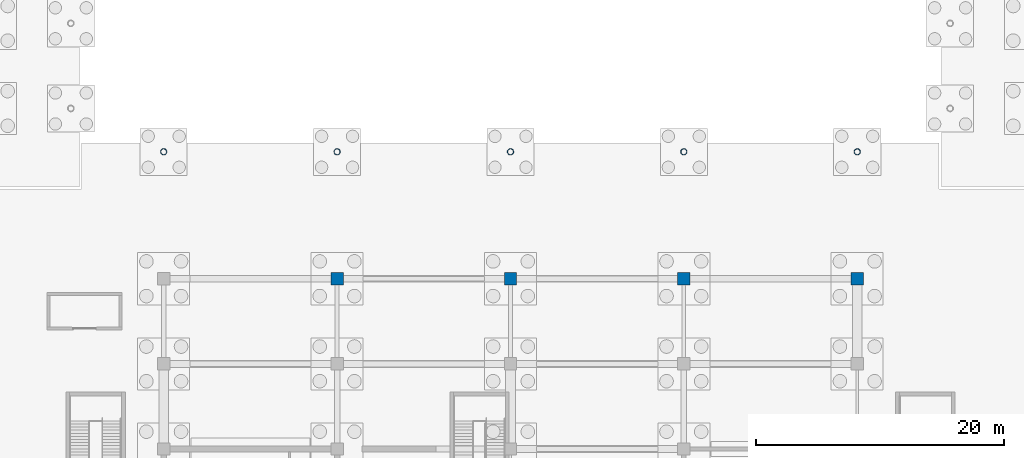
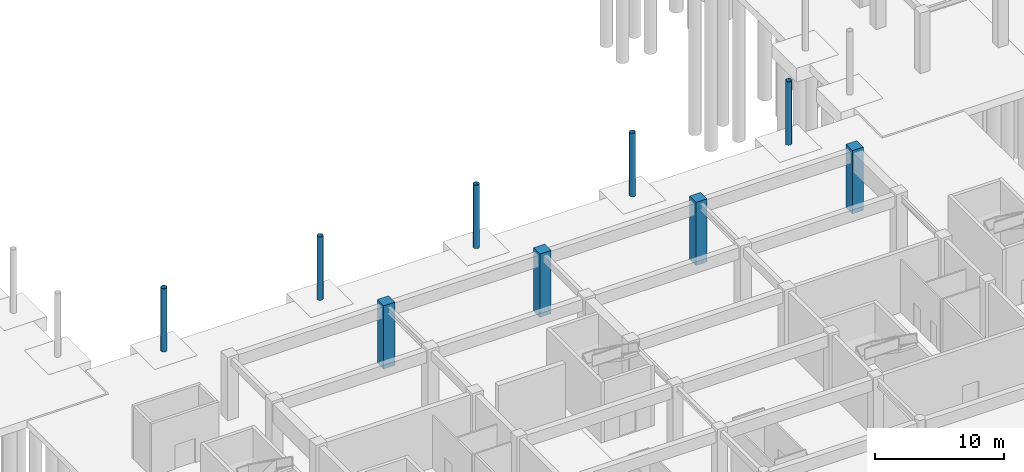
# One storey, part 12 of 62: 9 columns.
"""IFC4 building model written with IfcOpenShell, lengths in metres."""

import ifcopenshell
import ifcopenshell.guid

model = None  # the IFC model being written
_history = None  # IfcOwnerHistory: only IFC2X3 demands one
_inside = {}  # id of a spatial element -> (the spatial element, [elements in it])
_under = {}  # id of a project, library or spatial element -> (it, [spatial elements below it])
_declared = {}  # id of a project -> (the project, [libraries it declares])
_typed = {}  # id of a type object -> (the type object, [elements of that type])
_made_of = {}  # id of a material, layer set ... -> (it, [elements and type objects made of it])


def new_model(schema):
    """Start an empty IFC model of exactly this schema.

    Asked for "IFC4X3", IfcOpenShell would pick the latest addendum, in which some entities
    have other attributes; the version numbers below select the first issue.
    IFC2X3 requires an IfcOwnerHistory on every rooted entity: one is made here for all.
    """
    global model, _history
    if schema == "IFC4X3":
        model = ifcopenshell.file(schema_version=(4, 3, 0, 0))
    else:
        model = ifcopenshell.file(schema=schema)
    _inside.clear()
    _under.clear()
    _declared.clear()
    _typed.clear()
    _made_of.clear()
    _history = None
    if model.schema == "IFC2X3":
        org = make("IfcOrganization", Name="unknown")
        user = make(
            "IfcPersonAndOrganization",
            ThePerson=make("IfcPerson", FamilyName="unknown"),
            TheOrganization=org,
        )
        app = make(
            "IfcApplication",
            ApplicationDeveloper=org,
            Version="unknown",
            ApplicationFullName="unknown",
            ApplicationIdentifier="unknown",
        )
        _history = make(
            "IfcOwnerHistory",
            OwningUser=user,
            OwningApplication=app,
            ChangeAction="ADDED",
            CreationDate=0,
        )
    return model


def make(cls, **values):
    """One entity of the class cls with the attributes given. An attribute that is None is left unset."""
    return model.create_entity(
        cls, **{name: value for name, value in values.items() if value is not None}
    )


def rooted(cls, **values):
    """An entity with a GlobalId (a new one), such as an element, a storey or a relation."""
    return make(cls, GlobalId=ifcopenshell.guid.new(), OwnerHistory=_history, **values)


def si_unit(unit_type, name, prefix=None):
    """IfcSIUnit, for example si_unit("LENGTHUNIT", "METRE", prefix="MILLI")."""
    return make("IfcSIUnit", UnitType=unit_type, Prefix=prefix, Name=name)


def assignment(units):
    """IfcUnitAssignment: the units of a project."""
    return None if units is None else make("IfcUnitAssignment", Units=units)


def point(xyz):
    """IfcCartesianPoint."""
    return None if xyz is None else make("IfcCartesianPoint", Coordinates=xyz)


def direction(xyz):
    """IfcDirection."""
    return None if xyz is None else make("IfcDirection", DirectionRatios=xyz)


def frame(location, z_axis=None, x_axis=None):
    """IfcAxis2Placement3D, a coordinate frame: its origin and axes. An axis left out is left unset."""
    return make(
        "IfcAxis2Placement3D",
        Location=point(location),
        Axis=direction(z_axis),
        RefDirection=direction(x_axis),
    )


def frame_2d(location, x_axis=None):
    """IfcAxis2Placement2D, a coordinate frame in the plane: its origin and x axis."""
    return make(
        "IfcAxis2Placement2D", Location=point(location), RefDirection=direction(x_axis)
    )


def origin():
    """The frame at (0, 0, 0) with its axes left unset."""
    return frame((0.0, 0.0, 0.0))


def origin_2d():
    """The frame at (0, 0) in the plane with its x axis left unset."""
    return frame_2d((0.0, 0.0))


def place(relative_to, where):
    """IfcLocalPlacement: puts the frame where relative to a parent placement (None: the world)."""
    return make(
        "IfcLocalPlacement", PlacementRelTo=relative_to, RelativePlacement=where
    )


def context(
    kind, dimensions, precision=None, world=None, true_north=None, identifier=None
):
    """IfcGeometricRepresentationContext, for example the 3D "Model" context."""
    return make(
        "IfcGeometricRepresentationContext",
        ContextIdentifier=identifier,
        ContextType=kind,
        CoordinateSpaceDimension=dimensions,
        Precision=precision,
        WorldCoordinateSystem=world,
        TrueNorth=true_north,
    )


def subcontext(parent, identifier, kind, view, scale=None):
    """IfcGeometricRepresentationSubContext, for example "Body" below "Model"."""
    return make(
        "IfcGeometricRepresentationSubContext",
        ContextIdentifier=identifier,
        ContextType=kind,
        ParentContext=parent,
        TargetScale=scale,
        TargetView=view,
    )


def project(units=None, contexts=None):
    """IfcProject with its units and contexts."""
    return rooted(
        "IfcProject",
        Name="project",
        RepresentationContexts=contexts,
        UnitsInContext=assignment(units),
    )


def spatial(cls, under=None, at=None, **own):
    """A site, building, storey or space (cls), placed at a placement, below another one or the project."""
    s = rooted(cls, ObjectPlacement=at, **own)
    if under is not None:
        _under.setdefault(under.id(), (under, []))[1].append(s)
    return s


def profile(cls, at=None, kind="AREA", **sizes):
    """A parametric profile (cls). Its sizes go by their IFC names, for example OverallWidth=200.0."""
    return make(cls, ProfileType=kind, Position=at, **sizes)


def rectangle(**sizes):
    """IfcRectangleProfileDef."""
    return profile("IfcRectangleProfileDef", **sizes)


def hollow_circle(**sizes):
    """IfcCircleHollowProfileDef."""
    return profile("IfcCircleHollowProfileDef", **sizes)


def extrude(swept, where, along, depth):
    """IfcExtrudedAreaSolid: the profile swept, set in the frame where, extruded along a direction by depth."""
    return make(
        "IfcExtrudedAreaSolid",
        SweptArea=swept,
        Position=where,
        ExtrudedDirection=direction(along),
        Depth=depth,
    )


def shape(context_of_items, identifier, shape_type, items):
    """IfcShapeRepresentation: the items that make up one representation, for example the "Body"."""
    return make(
        "IfcShapeRepresentation",
        ContextOfItems=context_of_items,
        RepresentationIdentifier=identifier,
        RepresentationType=shape_type,
        Items=items,
    )


def material(Name=None, Category=None):
    """IfcMaterial."""
    return make("IfcMaterial", Name=Name, Category=Category)


def material_profile(
    of_material, cross_section, Name=None, Category=None, Priority=None
):
    """IfcMaterialProfile: a cross section and its material."""
    return make(
        "IfcMaterialProfile",
        Name=Name,
        Material=of_material,
        Profile=cross_section,
        Priority=Priority,
        Category=Category,
    )


def profile_set(profiles, Name=None, composite=None):
    """IfcMaterialProfileSet."""
    return make(
        "IfcMaterialProfileSet",
        Name=Name,
        MaterialProfiles=profiles,
        CompositeProfile=composite,
    )


def made_of(thing, what):
    """Note that an element or type object is made of a material, layer set ...; save() writes the relation."""
    if what is not None:
        _made_of.setdefault(what.id(), (what, []))[1].append(thing)
    return thing


def type_object(cls, material=None, **own):
    """A type object (cls), such as IfcWallType, which elements share."""
    return made_of(rooted(cls, **own), material)


def element(
    cls,
    number,
    at=None,
    inside=None,
    cuts=None,
    type_object=None,
    material=None,
    context=None,
    identifier="Body",
    shape_type=None,
    held_by="IfcProductDefinitionShape",
    body=None,
    shapes=None,
    **own,
):
    """One element of the class cls, such as IfcWall. Its Tag is "e" and its number.

    at: its placement. inside: the storey or other place that contains it. cuts: it is an
    opening in that element (IfcRelVoidsElement). A single representation is given by context,
    identifier, shape_type and body (its items); several are given by shapes. held_by: the class
    of the entity that holds the representations. save() writes the other relations.
    """
    e = rooted(cls, Tag="e%d" % number, ObjectPlacement=at, **own)
    if body is not None:
        shapes = [shape(context, identifier, shape_type, body)]
    if shapes is not None:
        e.Representation = make(held_by, Representations=shapes)
    if inside is not None:
        _inside.setdefault(inside.id(), (inside, []))[1].append(e)
    if cuts is not None:
        rooted(
            "IfcRelVoidsElement", RelatingBuildingElement=cuts, RelatedOpeningElement=e
        )
    if type_object is not None:
        _typed.setdefault(type_object.id(), (type_object, []))[1].append(e)
    return made_of(e, material)


def aggregate(whole, parts):
    """IfcRelAggregates: a whole, such as a stair, and the parts it consists of."""
    return rooted("IfcRelAggregates", RelatingObject=whole, RelatedObjects=parts)


def save(model, path):
    """Write the relations noted so far, then the file.

    IfcRelAggregates (storeys below a building ...), IfcRelContainedInSpatialStructure (elements
    in a storey), IfcRelDefinesByType, IfcRelAssociatesMaterial and IfcRelDeclares: one each for
    every whole, place, type object, material and project.
    """
    for whole, parts in _under.values():
        aggregate(whole, parts)
    for where, things in _inside.values():
        rooted(
            "IfcRelContainedInSpatialStructure",
            RelatedElements=things,
            RelatingStructure=where,
        )
    for kind, things in _typed.values():
        rooted("IfcRelDefinesByType", RelatedObjects=things, RelatingType=kind)
    for what, things in _made_of.values():
        rooted("IfcRelAssociatesMaterial", RelatedObjects=things, RelatingMaterial=what)
    for by, libraries in _declared.values():
        rooted("IfcRelDeclares", RelatingContext=by, RelatedDefinitions=libraries)
    model.write(path)


model = new_model("IFC4")

# Units and contexts
model_context = context("Model", 3, precision=1e-05, world=origin(), true_north=direction((0.0, 1.0)))
body_context = subcontext(model_context, "Body", "Model", "MODEL_VIEW")
ifc_project = project(units=[si_unit("LENGTHUNIT", "METRE"), si_unit("AREAUNIT", "SQUARE_METRE"), si_unit("VOLUMEUNIT", "CUBIC_METRE"), si_unit("PLANEANGLEUNIT", "RADIAN"), si_unit("MASSUNIT", "GRAM", prefix="KILO")], contexts=[model_context])

# Site, building, storey
site_placement = place(None, origin())
site = spatial("IfcSite", under=ifc_project, at=site_placement, CompositionType="ELEMENT")
building_placement = place(site_placement, origin())
building = spatial("IfcBuilding", under=site, at=building_placement, Name="Linyun Crest Stadium", CompositionType="ELEMENT")
storey_placement = place(building_placement, frame((0.0, 0.0, -6.0)))
storey = spatial("IfcBuildingStorey", under=building, at=storey_placement, Name="B1", CompositionType="ELEMENT", Elevation=-6.0)

# Columns
ifc_material_1 = material(Name="Concrete C50", Category="concrete")
ifc_material_profile_1 = material_profile(ifc_material_1, rectangle(XDim=1.0, YDim=1.0, at=origin_2d()), Name="RC 1000x1000")
ifc_profile_set_1 = profile_set([ifc_material_profile_1], Name="Concrete C50")
column_type_1 = type_object("IfcColumnType", Name="C05", PredefinedType="COLUMN", material=ifc_profile_set_1)
for number, where, z_axis, x_axis, name in (
    (1, (-14.0, -59.75, 0.0), (0.0, 0.0, 1.0), (1.0, 0.0, 0.0), "Column C05 B1 720"),
    (2, (0.0, -59.75, 0.0), (0.0, 0.0, 1.0), (1.0, 0.0, 0.0), "Column C05 B1 744"),
    (3, (14.0, -59.75, 0.0), (0.0, 0.0, 1.0), (1.0, 0.0, 0.0), "Column C05 B1 768"),
    (4, (28.0, -59.75, 0.0), (0.0, 0.0, 1.0), (1.0, 0.0, 0.0), "Column C05 B1 792"),
):
    element("IfcColumn", number, at=place(storey_placement, frame(where, z_axis=z_axis, x_axis=x_axis)), inside=storey, type_object=column_type_1, Name=name, PredefinedType="COLUMN", context=body_context, shape_type="SweptSolid", body=[
        extrude(rectangle(XDim=1.0, YDim=1.0, at=origin_2d()), origin(), (0.0, 0.0, 1.0), 5.998046875),
    ])
ifc_material_2 = material(Name="Steel Q355C", Category="steel")
ifc_material_profile_2 = material_profile(ifc_material_2, hollow_circle(Radius=0.25390625, WallThickness=0.02490234375, at=origin_2d()), Name="CHS 508x25")
ifc_profile_set_2 = profile_set([ifc_material_profile_2], Name="Steel Q355C")
column_type_2 = type_object("IfcColumnType", Name="SC05", PredefinedType="COLUMN", material=ifc_profile_set_2)
for number, where, z_axis, x_axis, name in (
    (5, (-28.0, -49.5, 0.0), (0.0, 0.0, 1.0), (1.0, 0.0, 0.0), "Arch colonnade column SC05 B1 44"),
    (6, (-14.0, -49.5, 0.0), (0.0, 0.0, 1.0), (1.0, 0.0, 0.0), "Arch colonnade column SC05 B1 46"),
    (7, (0.0, -49.5, 0.0), (0.0, 0.0, 1.0), (1.0, 0.0, 0.0), "Arch colonnade column SC05 B1 48"),
    (8, (14.0, -49.5, 0.0), (0.0, 0.0, 1.0), (1.0, 0.0, 0.0), "Arch colonnade column SC05 B1 50"),
    (9, (28.0, -49.5, 0.0), (0.0, 0.0, 1.0), (1.0, 0.0, 0.0), "Arch colonnade column SC05 B1 52"),
):
    element("IfcColumn", number, at=place(storey_placement, frame(where, z_axis=z_axis, x_axis=x_axis)), inside=storey, type_object=column_type_2, Name=name, PredefinedType="COLUMN", context=body_context, shape_type="SweptSolid", body=[
        extrude(hollow_circle(Radius=0.25390625, WallThickness=0.02490234375, at=origin_2d()), origin(), (0.0, 0.0, 1.0), 6.0),
    ])

save(model, "model.ifc")
